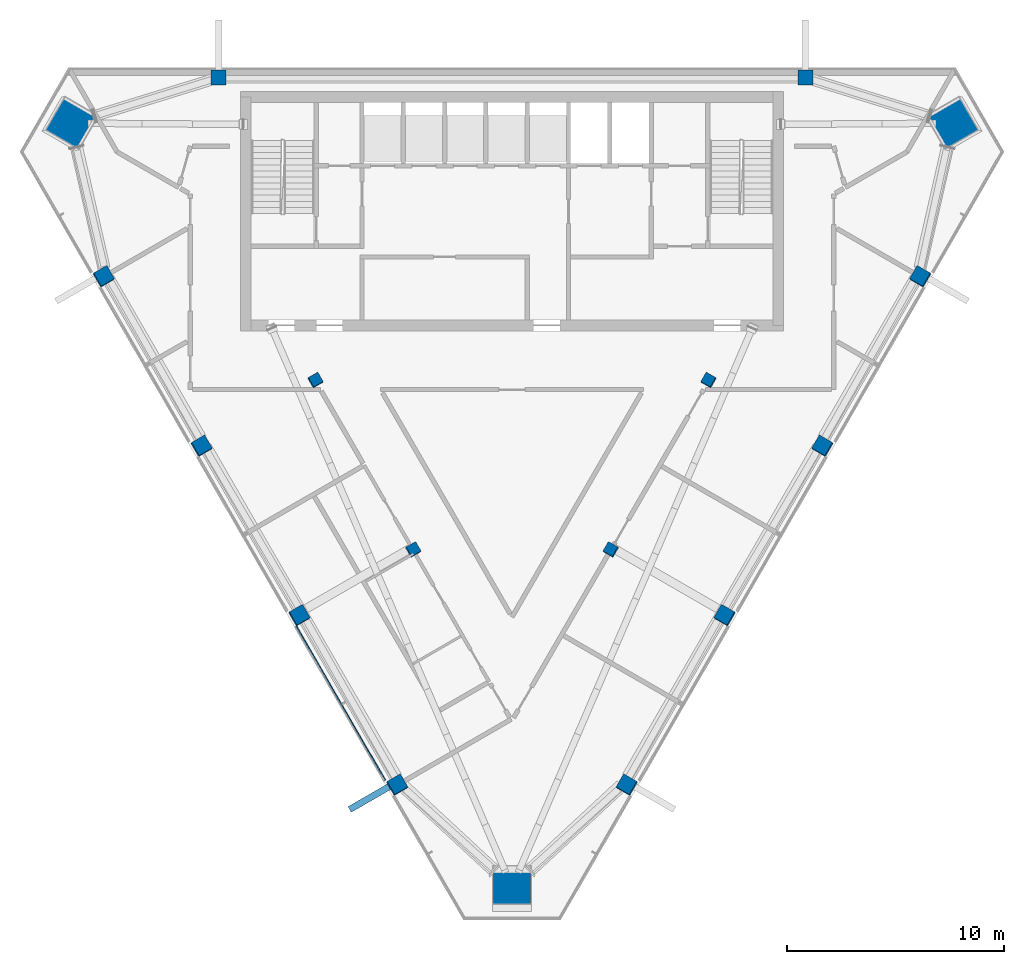
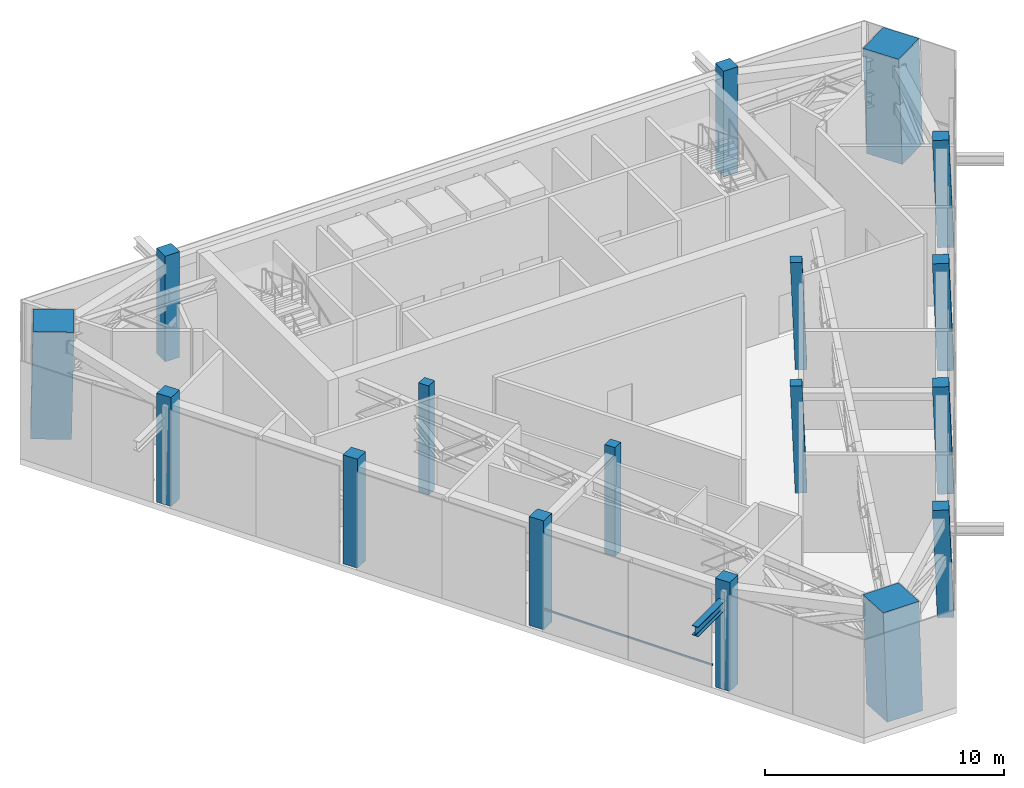
# One storey, part 1 of 13: 17 columns, 2 members, 1 element without a shape of its own.
"""IFC4 building model written with IfcOpenShell, lengths in metres."""

from ifc_helpers import new_model, si_unit, direction, frame, origin, origin_2d, place, context, subcontext, project, spatial, rectangle, i_section, extrude, material, layer, layer_set, material_profile, profile_set, type_object, element, aggregate, save


model = new_model("IFC4")

# Units and contexts
model_context = context("Model", 3, precision=1e-05, world=origin(), true_north=direction((0.0, 1.0)))
body_context = subcontext(model_context, "Body", "Model", "MODEL_VIEW")
ifc_project = project(units=[si_unit("LENGTHUNIT", "METRE"), si_unit("AREAUNIT", "SQUARE_METRE"), si_unit("VOLUMEUNIT", "CUBIC_METRE"), si_unit("PLANEANGLEUNIT", "RADIAN"), si_unit("MASSUNIT", "GRAM", prefix="KILO")], contexts=[model_context])

# Site, building, storey
site_placement = place(None, origin())
site = spatial("IfcSite", under=ifc_project, at=site_placement, CompositionType="ELEMENT")
building_placement = place(site_placement, origin())
building = spatial("IfcBuilding", under=site, at=building_placement, Name="Altiplano Prism Tower", CompositionType="ELEMENT")
storey_placement = place(building_placement, frame((0.0, 0.0, 286.0)))
storey = spatial("IfcBuildingStorey", under=building, at=storey_placement, Name="L74", CompositionType="ELEMENT", Elevation=286.0)

# Columns
ifc_material_1 = material(Name="Concrete C60/75", Category="concrete")
ifc_material_profile_1 = material_profile(ifc_material_1, rectangle(XDim=0.5, YDim=0.5, at=origin_2d()), Name="Inner column 500")
ifc_profile_set_1 = profile_set([ifc_material_profile_1], Name="Concrete C60/75")
column_type_1 = type_object("IfcColumnType", Name="Inner column 500", PredefinedType="COLUMN", material=ifc_profile_set_1)
for number, where, z_axis, x_axis, name in (
    (1, (75.947021484375, 90.6142578125, -0.01513671875), (0.022222390212, 0.038437508274, 0.999013875445), (-0.865893194874, -0.498748945877, 0.038450800471), "Inner column I12 L74"),
    (2, (80.447021484375, 82.81982421875, -0.01513671875), (0.022222351609, 0.038482608884, 0.999012140018), (-0.865640410253, -0.499184957381, 0.038484522359), "Inner column I13 L74"),
    (3, (89.552978515625, 82.81982421875, -0.01513671875), (-0.022222351609, 0.038482608884, 0.999012140018), (-0.50017281736, -0.86564049532, 0.022219037701), "Inner column I22 L74"),
    (4, (94.052978515625, 90.6142578125, -0.01513671875), (-0.022222390212, 0.038437508274, 0.999013875445), (-0.499735070256, -0.865893785024, 0.022199383149), "Inner column I23 L74"),
):
    element("IfcColumn", number, at=place(storey_placement, frame(where, z_axis=z_axis, x_axis=x_axis)), inside=storey, type_object=column_type_1, Name=name, PredefinedType="COLUMN", context=body_context, shape_type="SweptSolid", body=[
        extrude(rectangle(XDim=0.5, YDim=0.5, at=origin_2d()), origin(), (0.0, 0.0, 1.0), 5.4052734375),
    ])
ifc_material_2 = material(Name="Concrete C70/85", Category="concrete")
ifc_material_profile_2 = material_profile(ifc_material_2, rectangle(XDim=1.719970703125, YDim=1.719970703125, at=origin_2d()), Name="Mega column infill 1800")
ifc_profile_set_2 = profile_set([ifc_material_profile_2], Name="Concrete C70/85")
column_type_2 = type_object("IfcColumnType", Name="Mega column infill 1800", PredefinedType="COLUMN", material=ifc_profile_set_2)
column_1_placement = place(storey_placement, frame((64.609130859375, 102.417724609375, 0.0), z_axis=(0.028425663377, 0.009264325902, 0.999552977049), x_axis=(-0.865723772845, 0.500122957611, 0.019984403961)))
element("IfcColumn", 5, at=column_1_placement, inside=storey, type_object=column_type_2, Name="Mega column M0 L74", PredefinedType="COLUMN", context=body_context, shape_type="SweptSolid", body=[
    extrude(rectangle(XDim=1.719970703125, YDim=1.719970703125, at=origin_2d()), origin(), (0.0, 0.0, 1.0), 5.40234375),
])
column_2_placement = place(storey_placement, frame((85.0, 67.099853515625, 0.0), z_axis=(0.0, 0.058359537448, 0.998295629755), x_axis=(-1.0, 0.0, 0.0)))
element("IfcColumn", 6, at=column_2_placement, inside=storey, type_object=column_type_2, Name="Mega column M1 L74", PredefinedType="COLUMN", context=body_context, shape_type="SweptSolid", body=[
    extrude(rectangle(XDim=1.719970703125, YDim=1.719970703125, at=origin_2d()), origin(), (0.0, 0.0, 1.0), 5.4091796875),
])
column_3_placement = place(storey_placement, frame((105.390869140625, 102.417724609375, 0.0), z_axis=(-0.028425663377, 0.009264325902, 0.999552977049), x_axis=(0.499715911209, -0.86590388422, 0.02223671238)))
element("IfcColumn", 7, at=column_3_placement, inside=storey, type_object=column_type_2, Name="Mega column M2 L74", PredefinedType="COLUMN", context=body_context, shape_type="SweptSolid", body=[
    extrude(rectangle(XDim=1.719970703125, YDim=1.719970703125, at=origin_2d()), origin(), (0.0, 0.0, 1.0), 5.40234375),
])
ifc_material_profile_3 = material_profile(ifc_material_1, rectangle(XDim=0.699951171875, YDim=0.699951171875, at=origin_2d()), Name="Perimeter column 700")
ifc_profile_set_3 = profile_set([ifc_material_profile_3], Name="Concrete C60/75")
column_type_3 = type_object("IfcColumnType", Name="Perimeter column 700", PredefinedType="COLUMN", material=ifc_profile_set_3)
for number, where, z_axis, x_axis, name in (
    (8, (98.5, 104.550048828125, 0.0), (0.0, 0.0, 1.0), (1.0, 0.0, 0.0), "Perimeter column P01 L74"),
    (9, (71.5, 104.550048828125, 0.0), (0.0, 0.0, 1.0), (1.0, 0.0, 0.0), "Perimeter column P04 L74"),
):
    element("IfcColumn", number, at=place(storey_placement, frame(where, z_axis=z_axis, x_axis=x_axis)), inside=storey, type_object=column_type_3, Name=name, PredefinedType="COLUMN", context=body_context, shape_type="SweptSolid", body=[
        extrude(rectangle(XDim=0.699951171875, YDim=0.699951171875, at=origin_2d()), origin(), (0.0, 0.0, 1.0), 5.39990234375),
    ])
for number, where, z_axis, x_axis, name in (
    (10, (66.2080078125, 95.384033203125, 0.0), (0.02217724499, 0.038437546816, 0.999014877166), (-0.865453806352, -0.499512508445, 0.038431276047), "Perimeter column P11 L74"),
    (11, (70.7080078125, 87.58984375, 0.0), (0.02217724499, 0.038437546816, 0.999014877166), (-0.865453806352, -0.499512508445, 0.038431276047), "Perimeter column P12 L74"),
    (12, (75.2080078125, 79.79541015625, 0.0), (0.022177206465, 0.038482647471, 0.999013141734), (-0.865200895935, -0.499947849554, 0.038465015269), "Perimeter column P13 L74"),
    (13, (79.7080078125, 72.001220703125, 0.0), (0.02217724499, 0.038437546816, 0.999014877166), (-0.86545561456, -0.499509381704, 0.038431195885), "Perimeter column P14 L74"),
    (14, (90.2919921875, 72.001220703125, 0.0), (-0.02217724499, 0.038437546816, 0.999014877166), (-0.500494504497, -0.865455332518, 0.022188248769), "Perimeter column P21 L74"),
    (15, (94.7919921875, 79.79541015625, 0.0), (-0.022177206465, 0.038482647471, 0.999013141734), (-0.500934707509, -0.865200111864, 0.022207774388), "Perimeter column P22 L74"),
    (16, (99.2919921875, 87.58984375, 0.0), (-0.02217724499, 0.038437546816, 0.999014877166), (-0.500497631239, -0.86545352787, 0.022188109923), "Perimeter column P23 L74"),
    (17, (103.7919921875, 95.384033203125, 0.0), (-0.02217724499, 0.038437546816, 0.999014877166), (-0.500497631239, -0.86545352787, 0.022188109923), "Perimeter column P24 L74"),
):
    element("IfcColumn", number, at=place(storey_placement, frame(where, z_axis=z_axis, x_axis=x_axis)), inside=storey, type_object=column_type_3, Name=name, PredefinedType="COLUMN", context=body_context, shape_type="SweptSolid", body=[
        extrude(rectangle(XDim=0.699951171875, YDim=0.699951171875, at=origin_2d()), origin(), (0.0, 0.0, 1.0), 5.4052734375),
    ])

# Member
ifc_material_3 = material(Name="Steel S355", Category="steel")
ifc_material_profile_4 = material_profile(ifc_material_3, i_section(OverallWidth=0.300048828125, OverallDepth=0.5, WebThickness=0.014404296875, FlangeThickness=0.028076171875, FilletRadius=0.027099609375, at=origin_2d()), Name="Brace bracket HEB 500")
ifc_profile_set_4 = profile_set([ifc_material_profile_4], Name="Steel S355")
member_type_1 = type_object("IfcMemberType", Name="Brace bracket HEB 500", PredefinedType="STRUT", material=ifc_profile_set_4)
member_1_placement = place(storey_placement, frame((79.827880859375, 72.208984375, 4.2138671875), z_axis=(-0.866029095148, -0.499993606316, 0.0), x_axis=(0.499993606316, -0.866029095148, 0.0)))
element("IfcMember", 18, at=member_1_placement, inside=storey, type_object=member_type_1, Name="Brace bracket 1.291.4", PredefinedType="STRUT", context=body_context, shape_type="SweptSolid", body=[
    extrude(i_section(OverallWidth=0.300048828125, OverallDepth=0.5, WebThickness=0.014404296875, FlangeThickness=0.028076171875, FilletRadius=0.027099609375, at=origin_2d()), origin(), (0.0, 0.0, 1.0), 2.64990234375),
])

# Curtain wall, member
ifc_material_4 = material(Name="Aluminium and glass", Category="aluminium")
ifc_layer = layer(ifc_material_4, 0.320068359375)
ifc_layer_set = layer_set([ifc_layer], Name="Aluminium and glass")
curtain_wall_type = type_object("IfcCurtainWallType", Name="CW6 louvred plant-floor curtain wall", PredefinedType="NOTDEFINED", material=ifc_layer_set)
curtain_wall_placement = place(storey_placement, origin())
curtain_wall = element("IfcCurtainWall", 19, at=curtain_wall_placement, inside=storey, type_object=curtain_wall_type, Name="CW6 curtain wall south-west face L74", PredefinedType="NOTDEFINED")
ifc_material_5 = material(Name="Aluminium", Category="aluminium")
ifc_material_profile_5 = material_profile(ifc_material_5, rectangle(XDim=0.06005859375, YDim=0.080078125, at=origin_2d()), Name="CW6 transom 80 x 60")
ifc_profile_set_5 = profile_set([ifc_material_profile_5], Name="Aluminium")
member_type_2 = type_object("IfcMemberType", Name="CW6 transom 80 x 60", PredefinedType="USERDEFINED", material=ifc_profile_set_5)
member_2_placement = place(storey_placement, frame((75.0712890625, 79.312255859375, 1.10009765625), z_axis=(0.499991148707, -0.866030514021, 0.0), x_axis=(0.866030514021, 0.499991148707, 0.0)))
member_2 = element("IfcMember", 20, at=member_2_placement, type_object=member_type_2, Name="CW6 transom", ObjectType="TRANSOM", PredefinedType="USERDEFINED", context=body_context, shape_type="SweptSolid", body=[
    extrude(rectangle(XDim=0.06005859375, YDim=0.080078125, at=origin_2d()), origin(), (0.0, 0.0, 1.0), 8.179931640625),
])
aggregate(curtain_wall, [member_2])

save(model, "model.ifc")
